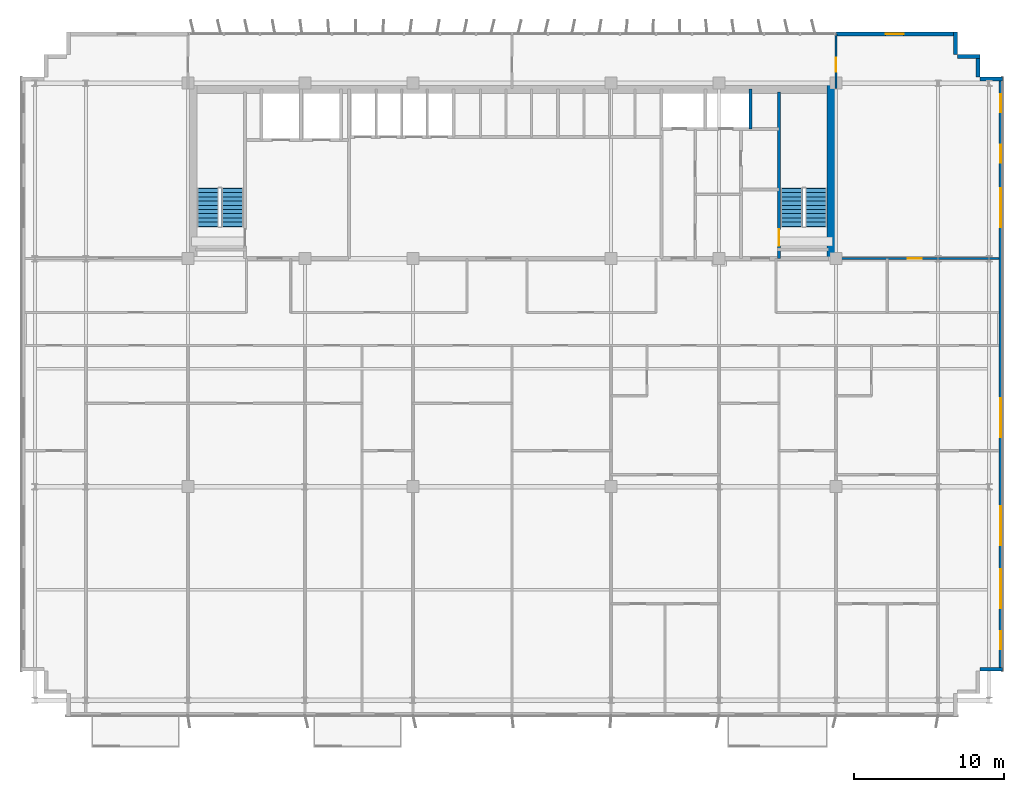
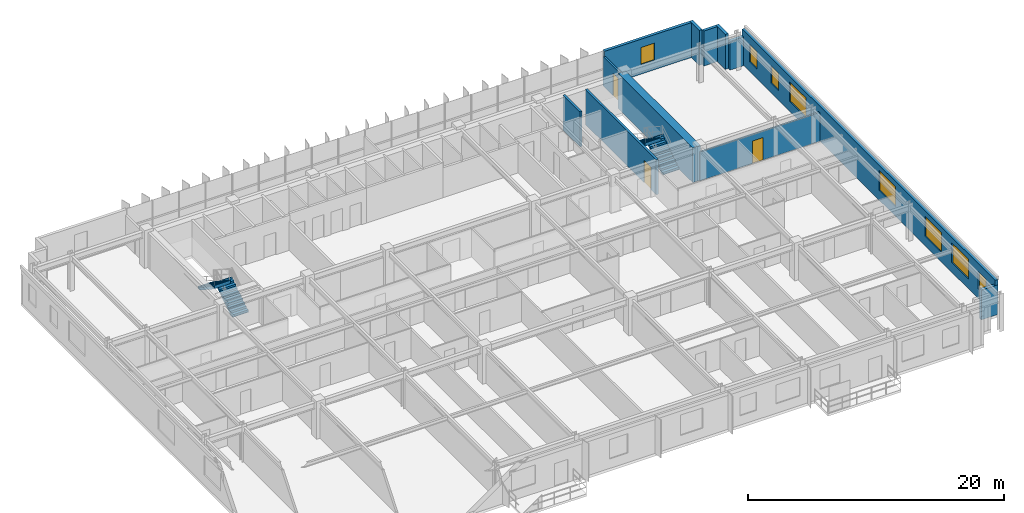
# One storey, part 18 of 21: 12 walls, 8 windows, 4 stair flights, 3 doors, 11 openings, 2 elements without a shape of their own.
"""IFC4 building model written with IfcOpenShell, lengths in metres."""

from ifc_helpers import new_model, si_unit, direction, frame, frame_2d, origin, place, context, subcontext, project, spatial, polyline, rectangle, outline, extrude, source, transform, mapped, material, layer, layer_set, type_object, element, fill, aggregate, save


model = new_model("IFC4")

# Units and contexts
model_context = context("Model", 3, precision=1e-05, world=origin(), true_north=direction((0.0, 1.0)))
body_context = subcontext(model_context, "Body", "Model", "MODEL_VIEW")
ifc_project = project(units=[si_unit("LENGTHUNIT", "METRE"), si_unit("AREAUNIT", "SQUARE_METRE"), si_unit("VOLUMEUNIT", "CUBIC_METRE"), si_unit("PLANEANGLEUNIT", "RADIAN"), si_unit("MASSUNIT", "GRAM", prefix="KILO")], contexts=[model_context])

# Site, building, storey
site_placement = place(None, origin())
site = spatial("IfcSite", under=ifc_project, at=site_placement, CompositionType="ELEMENT")
building_placement = place(site_placement, origin())
building = spatial("IfcBuilding", under=site, at=building_placement, Name="Trelvane Seafront Commons", CompositionType="ELEMENT")
storey_placement = place(building_placement, frame((0.0, 0.0, 103.300048828125)))
storey = spatial("IfcBuildingStorey", under=building, at=storey_placement, Name="L26", CompositionType="ELEMENT", Elevation=103.300048828125)

# Wall, opening, window
ifc_material_1 = material(Name="Precast concrete C40/50", Category="concrete")
ifc_layer_1 = layer(ifc_material_1, 0.260009765625, Name="ARCH-WALL-EXT260")
ifc_layer_set_1 = layer_set([ifc_layer_1], Name="Precast concrete C40/50")
wall_type_1 = type_object("IfcWallType", Name="ARCH-WALL-EXT260", PredefinedType="SOLIDWALL", material=ifc_layer_set_1)
wall_1_placement = place(storey_placement, frame((58.800048828125, 48.3701171875, 0.0), z_axis=(0.0, 0.0, 1.0), x_axis=(1.0, 0.0, 0.0)))
wall_1 = element("IfcWall", 1, at=wall_1_placement, inside=storey, type_object=wall_type_1, Name="EW-L26-NE-0476", PredefinedType="SOLIDWALL", context=body_context, shape_type="SweptSolid", body=[
    extrude(rectangle(XDim=8.0, YDim=0.260009765625, at=frame_2d((4.0, 0.0))), origin(), (0.0, 0.0, 1.0), 3.33984375),
])
opening_1_placement = place(wall_1_placement, frame((3.30810546875, 0.0, 0.89990234375)))
opening_1 = element("IfcOpeningElement", 2, at=opening_1_placement, cuts=wall_1, Name="Opening W05", PredefinedType="OPENING", context=body_context, shape_type="SweptSolid", body=[
    extrude(rectangle(XDim=1.199951171875, YDim=1.64990234375, at=frame_2d((0.60009765625, 0.824951171875))), frame((0.0, 0.139892578125, 0.0), z_axis=(0.0, -1.0, 0.0), x_axis=(1.0, 0.0, 0.0)), (0.0, 0.0, 1.0), 0.280029296875),
])
ifc_material_2 = material(Name="Low-E coastal double glazing", Category="glass")
window_type_1 = type_object("IfcWindowType", Name="ARCH-WIN-W05", PartitioningType="SINGLE_PANEL", PredefinedType="WINDOW", material=ifc_material_2)
shared_shape_1 = source(origin(), body_context, "Body", "SweptSolid", [
    extrude(rectangle(XDim=1.199951171875, YDim=1.64990234375, at=frame_2d((0.60009765625, 0.824951171875))), frame((0.0, 0.030029296875, 0.0), z_axis=(0.0, -1.0, 0.0), x_axis=(1.0, 0.0, 0.0)), (0.0, 0.0, 1.0), 0.06005859375),
])
window_1_placement = place(opening_1_placement, origin())
window_1 = element("IfcWindow", 3, at=window_1_placement, inside=storey, type_object=window_type_1, Name="WIN-L26-00561", OverallHeight=1.64990234375, OverallWidth=1.199951171875, PartitioningType="SINGLE_PANEL", PredefinedType="WINDOW", context=body_context, shape_type="MappedRepresentation", body=[
    mapped(shared_shape_1, transform((0.0, 0.0, 0.0), x_axis=(1.0, 0.0, 0.0), y_axis=(0.0, 1.0, 0.0), z_axis=(0.0, 0.0, 1.0), scale=1.0)),
])
fill(opening_1, window_1)

# Walls
for number, where, z_axis, x_axis, name in (
    (4, (66.77001953125, 48.5, 0.0), (0.0, 0.0, 1.0), (0.0, -1.0, 0.0), "EW-L26-00485"),
    (5, (66.89990234375, 46.8701171875, 0.0), (0.0, 0.0, 1.0), (1.0, 0.0, 0.0), "EW-L26-00486"),
    (6, (68.27001953125, 47.0, 0.0), (0.0, 0.0, 1.0), (0.0, -1.0, 0.0), "EW-L26-00487"),
):
    element("IfcWall", number, at=place(storey_placement, frame(where, z_axis=z_axis, x_axis=x_axis)), inside=storey, type_object=wall_type_1, Name=name, PredefinedType="SOLIDWALL", context=body_context, shape_type="SweptSolid", body=[
        extrude(rectangle(XDim=1.5, YDim=0.260009765625, at=frame_2d((0.75, 0.0))), origin(), (0.0, 0.0, 1.0), 3.33984375),
    ])
wall_2_placement = place(storey_placement, frame((68.39990234375, 45.3701171875, 0.0), z_axis=(0.0, 0.0, 1.0), x_axis=(1.0, 0.0, 0.0)))
element("IfcWall", 7, at=wall_2_placement, inside=storey, type_object=wall_type_1, Name="EW-L26-00488", PredefinedType="SOLIDWALL", context=body_context, shape_type="SweptSolid", body=[
    extrude(rectangle(XDim=1.5, YDim=0.260009765625, at=frame_2d((0.75, 0.0))), origin(), (0.0, 0.0, 1.0), 2.751953125),
])

# Wall, openings, windows
wall_3_placement = place(storey_placement, frame((69.77001953125, 45.5, 0.0), z_axis=(0.0, 0.0, 1.0), x_axis=(0.0, -1.0, 0.0)))
wall_3 = element("IfcWall", 8, at=wall_3_placement, inside=storey, type_object=wall_type_1, Name="EW-L26-00489", PredefinedType="SOLIDWALL", context=body_context, shape_type="SweptSolid", body=[
    extrude(rectangle(XDim=39.60009765625, YDim=0.260009765625, at=frame_2d((19.800048828125, 0.0))), origin(), (0.0, 0.0, 1.0), 3.33984375),
])
opening_2_placement = place(wall_3_placement, frame((36.949951171875, 0.0, 0.919921875)))
opening_2 = element("IfcOpeningElement", 9, at=opening_2_placement, cuts=wall_3, Name="Opening W05", PredefinedType="OPENING", context=body_context, shape_type="SweptSolid", body=[
    extrude(rectangle(XDim=1.199951171875, YDim=1.64990234375, at=frame_2d((0.60009765625, 0.824951171875))), frame((0.0, 0.139892578125, 0.0), z_axis=(0.0, -1.0, 0.0), x_axis=(1.0, 0.0, 0.0)), (0.0, 0.0, 1.0), 0.280029296875),
])
opening_3_placement = place(wall_3_placement, frame((32.800048828125, 0.0, 0.919921875)))
opening_3 = element("IfcOpeningElement", 10, at=opening_3_placement, cuts=wall_3, Name="Opening W04", PredefinedType="OPENING", context=body_context, shape_type="SweptSolid", body=[
    extrude(rectangle(XDim=2.60009765625, YDim=1.89990234375, at=frame_2d((1.300048828125, 0.949951171875))), frame((0.0, 0.139892578125, 0.0), z_axis=(0.0, -1.0, 0.0), x_axis=(1.0, 0.0, 0.0)), (0.0, 0.0, 1.0), 0.280029296875),
])
opening_4_placement = place(wall_3_placement, frame((28.60009765625, 0.0, 0.919921875)))
opening_4 = element("IfcOpeningElement", 11, at=opening_4_placement, cuts=wall_3, Name="Opening W04", PredefinedType="OPENING", context=body_context, shape_type="SweptSolid", body=[
    extrude(rectangle(XDim=2.60009765625, YDim=1.89990234375, at=frame_2d((1.300048828125, 0.949951171875))), frame((0.0, 0.139892578125, 0.0), z_axis=(0.0, -1.0, 0.0), x_axis=(1.0, 0.0, 0.0)), (0.0, 0.0, 1.0), 0.280029296875),
])
opening_5_placement = place(wall_3_placement, frame((21.39990234375, 0.0, 0.919921875)))
opening_5 = element("IfcOpeningElement", 12, at=opening_5_placement, cuts=wall_3, Name="Opening W04", PredefinedType="OPENING", context=body_context, shape_type="SweptSolid", body=[
    extrude(rectangle(XDim=2.60009765625, YDim=1.89990234375, at=frame_2d((1.300048828125, 0.949951171875))), frame((0.0, 0.139892578125, 0.0), z_axis=(0.0, -1.0, 0.0), x_axis=(1.0, 0.0, 0.0)), (0.0, 0.0, 1.0), 0.280029296875),
])
opening_6_placement = place(wall_3_placement, frame((7.39990234375, 0.0, 0.919921875)))
opening_6 = element("IfcOpeningElement", 13, at=opening_6_placement, cuts=wall_3, Name="Opening W04", PredefinedType="OPENING", context=body_context, shape_type="SweptSolid", body=[
    extrude(rectangle(XDim=2.60009765625, YDim=1.89990234375, at=frame_2d((1.300048828125, 0.949951171875))), frame((0.0, 0.139892578125, 0.0), z_axis=(0.0, -1.0, 0.0), x_axis=(1.0, 0.0, 0.0)), (0.0, 0.0, 1.0), 0.280029296875),
])
opening_7_placement = place(wall_3_placement, frame((4.5, 0.0, 0.919921875)))
opening_7 = element("IfcOpeningElement", 14, at=opening_7_placement, cuts=wall_3, Name="Opening W05", PredefinedType="OPENING", context=body_context, shape_type="SweptSolid", body=[
    extrude(rectangle(XDim=1.199951171875, YDim=1.64990234375, at=frame_2d((0.60009765625, 0.824951171875))), frame((0.0, 0.139892578125, 0.0), z_axis=(0.0, -1.0, 0.0), x_axis=(1.0, 0.0, 0.0)), (0.0, 0.0, 1.0), 0.280029296875),
])
opening_8_placement = place(wall_3_placement, frame((1.14990234375, 0.0, 0.919921875)))
opening_8 = element("IfcOpeningElement", 15, at=opening_8_placement, cuts=wall_3, Name="Opening W05", PredefinedType="OPENING", context=body_context, shape_type="SweptSolid", body=[
    extrude(rectangle(XDim=1.199951171875, YDim=1.64990234375, at=frame_2d((0.60009765625, 0.824951171875))), frame((0.0, 0.139892578125, 0.0), z_axis=(0.0, -1.0, 0.0), x_axis=(1.0, 0.0, 0.0)), (0.0, 0.0, 1.0), 0.280029296875),
])
window_type_2 = type_object("IfcWindowType", Name="ARCH-WIN-W04", PartitioningType="SINGLE_PANEL", PredefinedType="WINDOW", material=ifc_material_2)
shared_shape_2 = source(origin(), body_context, "Body", "SweptSolid", [
    extrude(rectangle(XDim=2.60009765625, YDim=1.89990234375, at=frame_2d((1.300048828125, 0.949951171875))), frame((0.0, 0.030029296875, 0.0), z_axis=(0.0, -1.0, 0.0), x_axis=(1.0, 0.0, 0.0)), (0.0, 0.0, 1.0), 0.06005859375),
])
window_2_placement = place(opening_3_placement, origin())
window_2 = element("IfcWindow", 16, at=window_2_placement, inside=storey, type_object=window_type_2, Name="WIN-L26-EW-00570", OverallHeight=1.89990234375, OverallWidth=2.60009765625, PartitioningType="SINGLE_PANEL", PredefinedType="WINDOW", context=body_context, shape_type="MappedRepresentation", body=[
    mapped(shared_shape_2, transform((0.0, 0.0, 0.0), x_axis=(1.0, 0.0, 0.0), y_axis=(0.0, 1.0, 0.0), z_axis=(0.0, 0.0, 1.0), scale=1.0)),
])
fill(opening_3, window_2)
window_3_placement = place(opening_4_placement, origin())
window_3 = element("IfcWindow", 17, at=window_3_placement, inside=storey, type_object=window_type_2, Name="WIN-L26-EW-00571", OverallHeight=1.89990234375, OverallWidth=2.60009765625, PartitioningType="SINGLE_PANEL", PredefinedType="WINDOW", context=body_context, shape_type="MappedRepresentation", body=[
    mapped(shared_shape_2, transform((0.0, 0.0, 0.0), x_axis=(1.0, 0.0, 0.0), y_axis=(0.0, 1.0, 0.0), z_axis=(0.0, 0.0, 1.0), scale=1.0)),
])
fill(opening_4, window_3)
window_4_placement = place(opening_5_placement, origin())
window_4 = element("IfcWindow", 18, at=window_4_placement, inside=storey, type_object=window_type_2, Name="WIN-L26-EW-00572", OverallHeight=1.89990234375, OverallWidth=2.60009765625, PartitioningType="SINGLE_PANEL", PredefinedType="WINDOW", context=body_context, shape_type="MappedRepresentation", body=[
    mapped(shared_shape_2, transform((0.0, 0.0, 0.0), x_axis=(1.0, 0.0, 0.0), y_axis=(0.0, 1.0, 0.0), z_axis=(0.0, 0.0, 1.0), scale=1.0)),
])
fill(opening_5, window_4)
window_5_placement = place(opening_6_placement, origin())
window_5 = element("IfcWindow", 19, at=window_5_placement, inside=storey, type_object=window_type_2, Name="WIN-L26-EW-00573", OverallHeight=1.89990234375, OverallWidth=2.60009765625, PartitioningType="SINGLE_PANEL", PredefinedType="WINDOW", context=body_context, shape_type="MappedRepresentation", body=[
    mapped(shared_shape_2, transform((0.0, 0.0, 0.0), x_axis=(1.0, 0.0, 0.0), y_axis=(0.0, 1.0, 0.0), z_axis=(0.0, 0.0, 1.0), scale=1.0)),
])
fill(opening_6, window_5)
window_6_placement = place(opening_2_placement, origin())
window_6 = element("IfcWindow", 20, at=window_6_placement, inside=storey, type_object=window_type_1, Name="WIN-L26-EW-00569", OverallHeight=1.64990234375, OverallWidth=1.199951171875, PartitioningType="SINGLE_PANEL", PredefinedType="WINDOW", context=body_context, shape_type="MappedRepresentation", body=[
    mapped(shared_shape_1, transform((0.0, 0.0, 0.0), x_axis=(1.0, 0.0, 0.0), y_axis=(0.0, 1.0, 0.0), z_axis=(0.0, 0.0, 1.0), scale=1.0)),
])
fill(opening_2, window_6)
window_7_placement = place(opening_7_placement, origin())
window_7 = element("IfcWindow", 21, at=window_7_placement, inside=storey, type_object=window_type_1, Name="WIN-L26-EW-00574", OverallHeight=1.64990234375, OverallWidth=1.199951171875, PartitioningType="SINGLE_PANEL", PredefinedType="WINDOW", context=body_context, shape_type="MappedRepresentation", body=[
    mapped(shared_shape_1, transform((0.0, 0.0, 0.0), x_axis=(1.0, 0.0, 0.0), y_axis=(0.0, 1.0, 0.0), z_axis=(0.0, 0.0, 1.0), scale=1.0)),
])
fill(opening_7, window_7)
window_8_placement = place(opening_8_placement, origin())
window_8 = element("IfcWindow", 22, at=window_8_placement, inside=storey, type_object=window_type_1, Name="WIN-L26-EW-00575", OverallHeight=1.64990234375, OverallWidth=1.199951171875, PartitioningType="SINGLE_PANEL", PredefinedType="WINDOW", context=body_context, shape_type="MappedRepresentation", body=[
    mapped(shared_shape_1, transform((0.0, 0.0, 0.0), x_axis=(1.0, 0.0, 0.0), y_axis=(0.0, 1.0, 0.0), z_axis=(0.0, 0.0, 1.0), scale=1.0)),
])
fill(opening_8, window_8)

# Wall
wall_4_placement = place(storey_placement, frame((69.89990234375, 6.030029296875, 0.0), z_axis=(0.0, 0.0, 1.0), x_axis=(-1.0, 0.0, 0.0)))
element("IfcWall", 23, at=wall_4_placement, inside=storey, type_object=wall_type_1, Name="EW-L26-00490", PredefinedType="SOLIDWALL", context=body_context, shape_type="SweptSolid", body=[
    extrude(rectangle(XDim=1.5, YDim=0.260009765625, at=frame_2d((0.75, 0.0))), origin(), (0.0, 0.0, 1.0), 2.83984375),
])

# Wall, opening, door
ifc_material_3 = material(Name="Gypsum Drywall Acoustic Partition")
ifc_layer_2 = layer(ifc_material_3, 0.14990234375, Name="ARCH-WALL-PART150")
ifc_layer_set_2 = layer_set([ifc_layer_2], Name="Gypsum Drywall Acoustic Partition")
wall_type_2 = type_object("IfcWallType", Name="ARCH-WALL-PART150", PredefinedType="PARTITIONING", material=ifc_layer_set_2)
wall_5_placement = place(storey_placement, frame((58.800048828125, 33.39990234375, 0.0), z_axis=(0.0, 0.0, 1.0), x_axis=(1.0, 0.0, 0.0)))
wall_5 = element("IfcWall", 24, at=wall_5_placement, inside=storey, type_object=wall_type_2, Name="W-L26-NE-ENT-050", PredefinedType="PARTITIONING", context=body_context, shape_type="SweptSolid", body=[
    extrude(rectangle(XDim=10.849853515625, YDim=0.14990234375, at=frame_2d((5.4248046875, 0.0))), origin(), (0.0, 0.0, 1.0), 2.751953125),
])
opening_9_placement = place(wall_5_placement, frame((4.760009765625, 0.0, 0.0)))
opening_9 = element("IfcOpeningElement", 25, at=opening_9_placement, cuts=wall_5, Name="Opening FD-L26-24", PredefinedType="OPENING", context=body_context, shape_type="SweptSolid", body=[
    extrude(rectangle(XDim=0.949951171875, YDim=2.14990234375, at=frame_2d((0.47509765625, 1.074951171875))), frame((0.0, 0.0849609375, 0.0), z_axis=(0.0, -1.0, 0.0), x_axis=(1.0, 0.0, 0.0)), (0.0, 0.0, 1.0), 0.169921875),
])
ifc_material_4 = material(Name="Powder-coated aluminium frame", Category="aluminium")
door_type_1 = type_object("IfcDoorType", Name="ARCH-DR-FD60-950", OperationType="NOTDEFINED", PredefinedType="DOOR", material=ifc_material_4)
shared_shape_3 = source(origin(), body_context, "Body", "SweptSolid", [
    extrude(rectangle(XDim=0.949951171875, YDim=2.14990234375, at=frame_2d((0.47509765625, 1.074951171875))), frame((0.0, 0.02490234375, 0.0), z_axis=(0.0, -1.0, 0.0), x_axis=(1.0, 0.0, 0.0)), (0.0, 0.0, 1.0), 0.050048828125),
])
door_1_placement = place(opening_9_placement, origin())
door_1 = element("IfcDoor", 26, at=door_1_placement, inside=storey, type_object=door_type_1, Name="L26 NE Suite Entrance Door", OperationType="SINGLE_SWING_RIGHT", OverallHeight=2.14990234375, OverallWidth=0.949951171875, PredefinedType="DOOR", context=body_context, shape_type="MappedRepresentation", body=[
    mapped(shared_shape_3, transform((0.0, 0.0, 0.0), x_axis=(1.0, 0.0, 0.0), y_axis=(0.0, 1.0, 0.0), z_axis=(0.0, 0.0, 1.0), scale=1.0)),
])
fill(opening_9, door_1)

wall_6_placement = place(storey_placement, frame((58.800048828125, 44.75, 0.0), z_axis=(0.0, 0.0, 1.0), x_axis=(0.0, 1.0, 0.0)))
wall_6 = element("IfcWall", 27, at=wall_6_placement, inside=storey, type_object=wall_type_2, Name="W-L26-N-LINK-E-053", PredefinedType="PARTITIONING", context=body_context, shape_type="SweptSolid", body=[
    extrude(rectangle(XDim=3.610107421875, YDim=0.14990234375, at=frame_2d((1.80517578125, 0.0))), origin(), (0.0, 0.0, 1.0), 2.83984375),
])
opening_10_placement = place(wall_6_placement, frame((1.10009765625, 0.0, 0.0)))
opening_10 = element("IfcOpeningElement", 28, at=opening_10_placement, cuts=wall_6, Name="Opening FD-L26-27", PredefinedType="OPENING", context=body_context, shape_type="SweptSolid", body=[
    extrude(rectangle(XDim=0.949951171875, YDim=2.14990234375, at=frame_2d((0.47509765625, 1.074951171875))), frame((0.0, 0.0849609375, 0.0), z_axis=(0.0, -1.0, 0.0), x_axis=(1.0, 0.0, 0.0)), (0.0, 0.0, 1.0), 0.169921875),
])
door_2_placement = place(opening_10_placement, origin())
door_2 = element("IfcDoor", 29, at=door_2_placement, inside=storey, type_object=door_type_1, Name="L26 Door 27", OperationType="SINGLE_SWING_LEFT", OverallHeight=2.14990234375, OverallWidth=0.949951171875, PredefinedType="DOOR", context=body_context, shape_type="MappedRepresentation", body=[
    mapped(shared_shape_3, transform((0.0, 0.0, 0.0), x_axis=(1.0, 0.0, 0.0), y_axis=(0.0, 1.0, 0.0), z_axis=(0.0, 0.0, 1.0), scale=1.0)),
])
fill(opening_10, door_2)

# Walls
ifc_material_5 = material(Name="Concrete C40/50", Category="concrete")
ifc_layer_3 = layer(ifc_material_5, 0.199951171875, Name="ARCH-WALL-SHAFT200")
ifc_layer_set_3 = layer_set([ifc_layer_3], Name="Concrete C40/50")
wall_type_3 = type_object("IfcWallType", Name="ARCH-WALL-SHAFT200", PredefinedType="SOLIDWALL", material=ifc_layer_set_3)
wall_7_placement = place(storey_placement, frame((53.10009765625, 42.050048828125, 0.0), z_axis=(0.0, 0.0, 1.0), x_axis=(0.0, 1.0, 0.0)))
element("IfcWall", 30, at=wall_7_placement, inside=storey, type_object=wall_type_3, Name="W-L26-RSR-E-032", PredefinedType="SOLIDWALL", context=body_context, shape_type="SweptSolid", body=[
    extrude(rectangle(XDim=2.64990234375, YDim=0.199951171875, at=frame_2d((1.324951171875, 0.0))), origin(), (0.0, 0.0, 1.0), 3.33984375),
])
ifc_material_6 = material(Name="Concrete C60/75", Category="concrete")
ifc_layer_4 = layer(ifc_material_6, 0.699951171875, Name="STR-WALL-CORE700")
ifc_layer_set_4 = layer_set([ifc_layer_4], Name="Concrete C60/75")
wall_type_4 = type_object("IfcWallType", Name="STR-WALL-CORE700", PredefinedType="SHEAR", material=ifc_layer_set_4)
wall_8_placement = place(storey_placement, frame((58.550048828125, 33.39990234375, 0.0), z_axis=(0.0, 0.0, 1.0), x_axis=(0.0, 1.0, 0.0)))
element("IfcWall", 31, at=wall_8_placement, inside=storey, type_object=wall_type_4, Name="W-L26-CE-END-003", PredefinedType="SHEAR", context=body_context, shape_type="SweptSolid", body=[
    extrude(rectangle(XDim=11.7001953125, YDim=0.699951171875, at=frame_2d((5.85009765625, 0.0))), origin(), (0.0, 0.0, 1.0), 3.33984375),
])

# Wall, opening, door
ifc_material_7 = material(Name="Concrete C50/60", Category="concrete")
ifc_layer_5 = layer(ifc_material_7, 0.199951171875, Name="STR-WALL-STAIR200")
ifc_layer_set_5 = layer_set([ifc_layer_5], Name="Concrete C50/60")
wall_type_5 = type_object("IfcWallType", Name="STR-WALL-STAIR200", PredefinedType="SHEAR", material=ifc_layer_set_5)
wall_9_placement = place(storey_placement, frame((55.0, 33.39990234375, 0.0), z_axis=(0.0, 0.0, 1.0), x_axis=(0.0, 1.0, 0.0)))
wall_9 = element("IfcWall", 32, at=wall_9_placement, inside=storey, type_object=wall_type_5, Name="W-L26-ST2-W-007", PredefinedType="SHEAR", context=body_context, shape_type="SweptSolid", body=[
    extrude(rectangle(XDim=11.10009765625, YDim=0.199951171875, at=frame_2d((5.550048828125, 0.0))), origin(), (0.0, 0.0, 1.0), 3.33984375),
])
opening_11_placement = place(wall_9_placement, frame((0.85009765625, 0.0, 0.0)))
opening_11 = element("IfcOpeningElement", 33, at=opening_11_placement, cuts=wall_9, Name="Opening ST-D2-L26", PredefinedType="OPENING", context=body_context, shape_type="SweptSolid", body=[
    extrude(rectangle(XDim=1.10009765625, YDim=2.14990234375, at=frame_2d((0.550048828125, 1.074951171875))), frame((0.0, 0.10986328125, 0.0), z_axis=(0.0, -1.0, 0.0), x_axis=(1.0, 0.0, 0.0)), (0.0, 0.0, 1.0), 0.219970703125),
])
door_type_2 = type_object("IfcDoorType", Name="ARCH-DR-FD90-1100", OperationType="NOTDEFINED", PredefinedType="DOOR", material=ifc_material_4)
shared_shape_4 = source(origin(), body_context, "Body", "SweptSolid", [
    extrude(rectangle(XDim=1.10009765625, YDim=2.14990234375, at=frame_2d((0.550048828125, 1.074951171875))), frame((0.0, 0.02490234375, 0.0), z_axis=(0.0, -1.0, 0.0), x_axis=(1.0, 0.0, 0.0)), (0.0, 0.0, 1.0), 0.050048828125),
])
door_3_placement = place(opening_11_placement, origin())
door_3 = element("IfcDoor", 34, at=door_3_placement, inside=storey, type_object=door_type_2, Name="L26 Stair ST-2 Vestibule Fire Door", OperationType="SINGLE_SWING_RIGHT", OverallHeight=2.14990234375, OverallWidth=1.10009765625, PredefinedType="DOOR", context=body_context, shape_type="MappedRepresentation", body=[
    mapped(shared_shape_4, transform((0.0, 0.0, 0.0), x_axis=(1.0, 0.0, 0.0), y_axis=(0.0, 1.0, 0.0), z_axis=(0.0, 0.0, 1.0), scale=1.0)),
])
fill(opening_11, door_3)

# Stair, stair flights
stair_type_1 = type_object("IfcStairType", Name="ARCH-STR-ST-1-R20-180", PredefinedType="HALF_TURN_STAIR", material=ifc_material_5)
stair_1_placement = place(storey_placement, origin())
stair_1 = element("IfcStair", 35, at=stair_1_placement, inside=storey, type_object=stair_type_1, Name="L26 West Protected Firefighting Exit Stair ST-1", PredefinedType="HALF_TURN_STAIR")
stair_flight_type_1 = type_object("IfcStairFlightType", Name="ARCH-FLG-ST-1-R20-180", PredefinedType="STRAIGHT", material=ifc_material_5)
shared_shape_5 = source(origin(), body_context, "Body", "SweptSolid", [
    extrude(outline(polyline([(-0.050048828125, -0.02001953125), (-0.050048828125, 0.0), (0.0, 0.0), (0.0, 0.179931640625), (0.280029296875, 0.179931640625), (0.280029296875, 0.360107421875), (0.56005859375, 0.360107421875), (0.56005859375, 0.5400390625), (0.840087890625, 0.5400390625), (0.840087890625, 0.719970703125), (1.1201171875, 0.719970703125), (1.1201171875, 0.89990234375), (1.39990234375, 0.89990234375), (1.39990234375, 1.080078125), (1.679931640625, 1.080078125), (1.679931640625, 1.260009765625), (1.9599609375, 1.260009765625), (1.9599609375, 1.43994140625), (2.239990234375, 1.43994140625), (2.239990234375, 1.6201171875), (2.52001953125, 1.6201171875), (2.52001953125, 1.800048828125), (2.570068359375, 1.800048828125), (2.570068359375, 1.650146484375), (2.52001953125, 1.44189453125), (0.277099609375, -0.02001953125), (-0.050048828125, -0.02001953125)])), frame((0.0, 0.72509765625, 0.0), z_axis=(0.0, -1.0, 0.0), x_axis=(1.0, 0.0, 0.0)), (0.0, 0.0, 1.0), 1.449951171875),
])
stair_flight_1_placement = place(storey_placement, frame((18.574951171875, 35.550048828125, 0.0), z_axis=(0.0, 0.0, 1.0), x_axis=(0.0, 1.0, 0.0)))
stair_flight_1 = element("IfcStairFlight", 36, at=stair_flight_1_placement, type_object=stair_flight_type_1, Name="ST-1 flight 1", NumberOfRisers=10, NumberOfTreads=9, PredefinedType="STRAIGHT", RiserHeight=0.18, TreadLength=0.28, context=body_context, shape_type="MappedRepresentation", body=[
    mapped(shared_shape_5, transform((0.0, 0.0, 0.0), x_axis=(1.0, 0.0, 0.0), y_axis=(0.0, 1.0, 0.0), z_axis=(0.0, 0.0, 1.0), scale=1.0)),
])
stair_flight_2_placement = place(storey_placement, frame((16.925048828125, 38.070068359375, 1.800048828125), z_axis=(0.0, 0.0, 1.0), x_axis=(0.0, -1.0, 0.0)))
stair_flight_2 = element("IfcStairFlight", 37, at=stair_flight_2_placement, type_object=stair_flight_type_1, Name="ST-1 flight 2", NumberOfRisers=10, NumberOfTreads=9, PredefinedType="STRAIGHT", RiserHeight=0.18, TreadLength=0.28, context=body_context, shape_type="MappedRepresentation", body=[
    mapped(shared_shape_5, transform((0.0, 0.0, 0.0), x_axis=(1.0, 0.0, 0.0), y_axis=(0.0, 1.0, 0.0), z_axis=(0.0, 0.0, 1.0), scale=1.0)),
])
aggregate(stair_1, [stair_flight_1, stair_flight_2])

stair_type_2 = type_object("IfcStairType", Name="ARCH-STR-ST-2-R20-180", PredefinedType="HALF_TURN_STAIR", material=ifc_material_5)
stair_2_placement = place(storey_placement, origin())
stair_2 = element("IfcStair", 38, at=stair_2_placement, inside=storey, type_object=stair_type_2, Name="L26 East Protected Firefighting Exit Stair ST-2", PredefinedType="HALF_TURN_STAIR")
stair_flight_type_2 = type_object("IfcStairFlightType", Name="ARCH-FLG-ST-2-R20-180", PredefinedType="STRAIGHT", material=ifc_material_5)
stair_flight_3_placement = place(storey_placement, frame((57.47509765625, 35.550048828125, 0.0), z_axis=(0.0, 0.0, 1.0), x_axis=(0.0, 1.0, 0.0)))
stair_flight_3 = element("IfcStairFlight", 39, at=stair_flight_3_placement, type_object=stair_flight_type_2, Name="ST-2 flight 1", NumberOfRisers=10, NumberOfTreads=9, PredefinedType="STRAIGHT", RiserHeight=0.18, TreadLength=0.28, context=body_context, shape_type="MappedRepresentation", body=[
    mapped(shared_shape_5, transform((0.0, 0.0, 0.0), x_axis=(1.0, 0.0, 0.0), y_axis=(0.0, 1.0, 0.0), z_axis=(0.0, 0.0, 1.0), scale=1.0)),
])
stair_flight_4_placement = place(storey_placement, frame((55.824951171875, 38.070068359375, 1.800048828125), z_axis=(0.0, 0.0, 1.0), x_axis=(0.0, -1.0, 0.0)))
stair_flight_4 = element("IfcStairFlight", 40, at=stair_flight_4_placement, type_object=stair_flight_type_2, Name="ST-2 flight 2", NumberOfRisers=10, NumberOfTreads=9, PredefinedType="STRAIGHT", RiserHeight=0.18, TreadLength=0.28, context=body_context, shape_type="MappedRepresentation", body=[
    mapped(shared_shape_5, transform((0.0, 0.0, 0.0), x_axis=(1.0, 0.0, 0.0), y_axis=(0.0, 1.0, 0.0), z_axis=(0.0, 0.0, 1.0), scale=1.0)),
])
aggregate(stair_2, [stair_flight_3, stair_flight_4])

save(model, "model.ifc")
